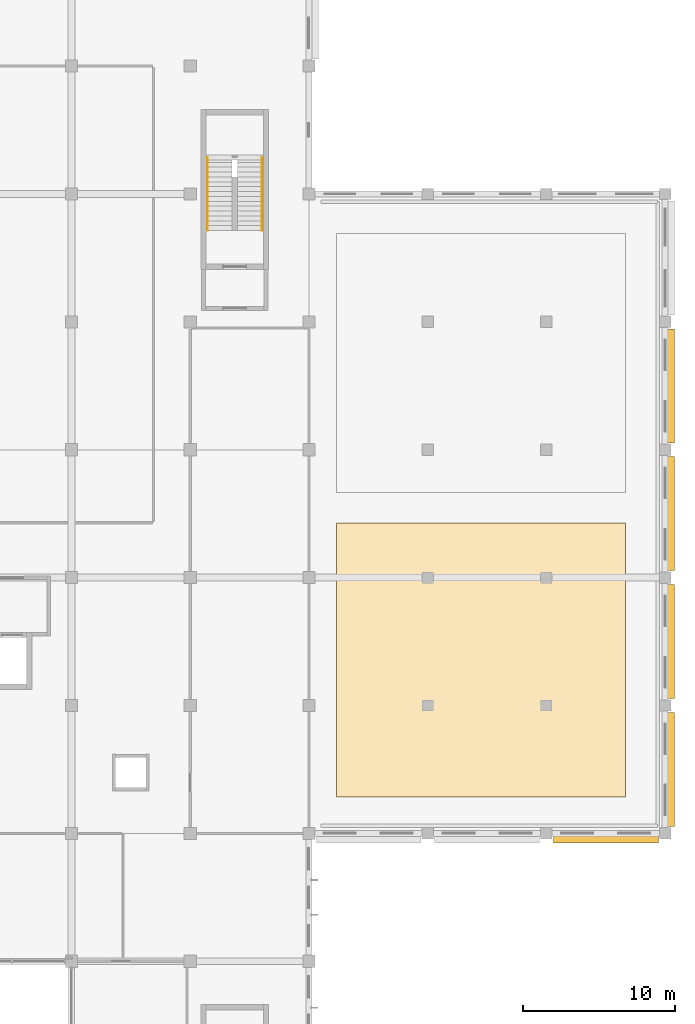
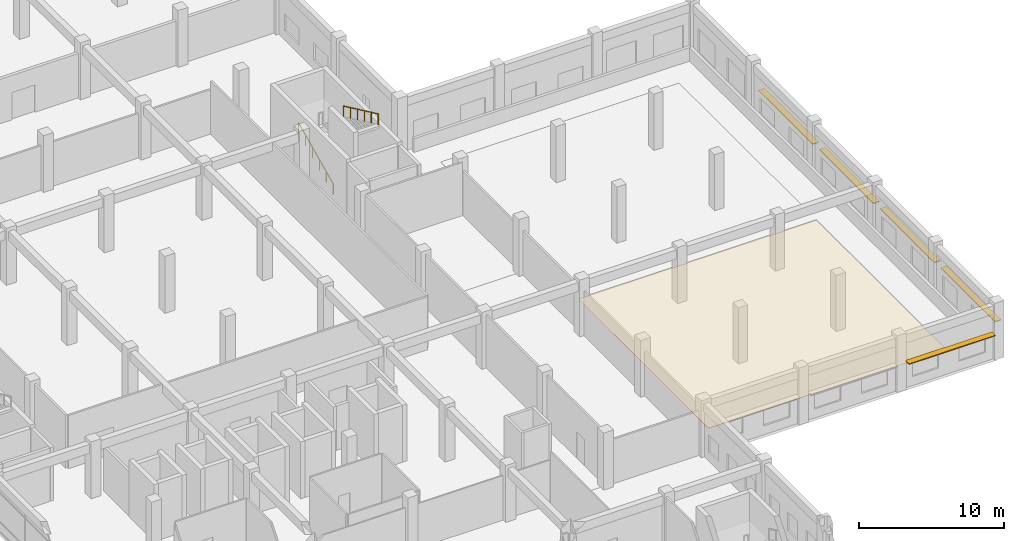
# One storey, part 61 of 62: 5 shading devices, 2 railings, 1 covering.
"""IFC4 building model written with IfcOpenShell, lengths in metres."""

from ifc_helpers import new_model, si_unit, direction, frame, origin, origin_2d, place, context, subcontext, project, spatial, polyline, rectangle, circle, outline, extrude, material, layer, layer_set, type_object, element, save


model = new_model("IFC4")

# Units and contexts
model_context = context("Model", 3, precision=1e-05, world=origin(), true_north=direction((0.0, 1.0)))
body_context = subcontext(model_context, "Body", "Model", "MODEL_VIEW")
ifc_project = project(units=[si_unit("LENGTHUNIT", "METRE"), si_unit("AREAUNIT", "SQUARE_METRE"), si_unit("VOLUMEUNIT", "CUBIC_METRE"), si_unit("PLANEANGLEUNIT", "RADIAN"), si_unit("MASSUNIT", "GRAM", prefix="KILO"), si_unit("THERMODYNAMICTEMPERATUREUNIT", "KELVIN"), si_unit("POWERUNIT", "WATT")], contexts=[model_context])

# Site, building, storey
site_placement = place(None, origin())
site = spatial("IfcSite", under=ifc_project, at=site_placement, CompositionType="ELEMENT")
building_placement = place(site_placement, origin())
building = spatial("IfcBuilding", under=site, at=building_placement, Name="Srebrne Nadtorze General Hospital", CompositionType="ELEMENT")
storey_placement = place(building_placement, frame((0.0, 0.0, 9.60009765625)))
storey = spatial("IfcBuildingStorey", under=building, at=storey_placement, Name="L02", CompositionType="ELEMENT", Elevation=9.60009765625)

# Shading devices
ifc_material_1 = material(Name="Anodised Aluminium", Category="aluminium")
ifc_layer_1 = layer(ifc_material_1, 0.080078125)
ifc_layer_set_1 = layer_set([ifc_layer_1], Name="Anodised Aluminium")
shading_device_type = type_object("IfcShadingDeviceType", Name="Hisashi horizontal aluminium sunshade", PredefinedType="JALOUSIE", material=ifc_layer_set_1)
shading_device_placement = place(storey_placement, frame((167.699951171875, 33.219970703125, 2.219970703125), z_axis=(0.0, 0.0, 1.0), x_axis=(1.0, 0.0, 0.0)))
element("IfcShadingDevice", 1, at=shading_device_placement, inside=storey, type_object=shading_device_type, Name="Hisashi horizontal sunshade eave LV-148", PredefinedType="JALOUSIE", context=body_context, shape_type="SweptSolid", body=[
    extrude(rectangle(XDim=6.889892578125, YDim=0.47998046875, at=origin_2d()), origin(), (0.0, 0.0, 1.0), 0.080078125),
])
for number, where, z_axis, x_axis, name in (
    (2, (171.97998046875, 37.800048828125, 2.519775390625), (0.0, 0.0, 1.0), (1.0, 0.0, 0.0), "Hisashi horizontal sunshade eave LV-187"),
    (3, (171.97998046875, 46.199951171875, 2.419921875), (0.0, 0.0, 1.0), (1.0, 0.0, 0.0), "Hisashi horizontal sunshade eave LV-188"),
    (4, (171.97998046875, 54.60009765625, 2.31982421875), (0.0, 0.0, 1.0), (1.0, 0.0, 0.0), "Hisashi horizontal sunshade eave LV-189"),
    (5, (171.97998046875, 63.0, 2.219970703125), (0.0, 0.0, 1.0), (1.0, 0.0, 0.0), "Hisashi horizontal sunshade eave LV-190"),
):
    element("IfcShadingDevice", number, at=place(storey_placement, frame(where, z_axis=z_axis, x_axis=x_axis)), inside=storey, type_object=shading_device_type, Name=name, PredefinedType="JALOUSIE", context=body_context, shape_type="SweptSolid", body=[
        extrude(rectangle(XDim=0.47998046875, YDim=7.489990234375, at=origin_2d()), origin(), (0.0, 0.0, 1.0), 0.080078125),
    ])

# Covering
ifc_material_2 = material(Name="EPDM Waterproofing Membrane")
ifc_layer_2 = layer(ifc_material_2, 0.011962890625)
ifc_layer_set_2 = layer_set([ifc_layer_2], Name="EPDM Waterproofing Membrane")
covering_type = type_object("IfcCoveringType", Name="Inverted EPDM waterproof roof membrane", PredefinedType="ROOFING", material=ifc_layer_set_2)
covering_placement = place(storey_placement, origin())
element("IfcCovering", 6, at=covering_placement, inside=storey, type_object=covering_type, Name="Roof membrane covering CV-ROOF-EB-1", PredefinedType="ROOFING", context=body_context, shape_type="SweptSolid", body=[
    extrude(outline(polyline([(150.0, 36.0), (169.0, 36.0), (169.0, 54.0), (150.0, 54.0), (150.0, 36.0)])), origin(), (0.0, 0.0, 1.0), 0.011962890625),
])

# Railings
ifc_material_3 = material(Name="Stainless Steel 316", Category="steel")
railing_type = type_object("IfcRailingType", Name="Tubular stainless handrail 920", PredefinedType="HANDRAIL", material=ifc_material_3)
railing_1_placement = place(storey_placement, frame((141.530029296875, 73.199951171875, 0.14990234375)))
element("IfcRailing", 7, at=railing_1_placement, inside=storey, type_object=railing_type, Name="Stair flight handrail ST-04-L02 F1", PredefinedType="HANDRAIL", context=body_context, shape_type="SweptSolid", body=[
    extrude(circle(Radius=0.02392578125, at=origin_2d()), frame((0.0, 0.0, 0.89599609375), z_axis=(0.0, 0.90546059521, 0.424430336476), x_axis=(-1.0, 0.0, 0.0)), (0.0, 0.0, 1.0), 5.30126953125),
    extrude(circle(Radius=0.02099609375, at=origin_2d()), origin(), (0.0, 0.0, 1.0), 0.871826171875),
    extrude(circle(Radius=0.02099609375, at=origin_2d()), frame((0.0, 0.9599609375, 0.449951171875)), (0.0, 0.0, 1.0), 0.871826171875),
    extrude(circle(Radius=0.02099609375, at=origin_2d()), frame((0.0, 1.919921875, 0.89990234375)), (0.0, 0.0, 1.0), 0.871826171875),
    extrude(circle(Radius=0.02099609375, at=origin_2d()), frame((0.0, 2.880126953125, 1.35009765625)), (0.0, 0.0, 1.0), 0.871826171875),
    extrude(circle(Radius=0.02099609375, at=origin_2d()), frame((0.0, 3.840087890625, 1.800048828125)), (0.0, 0.0, 1.0), 0.871826171875),
    extrude(circle(Radius=0.02099609375, at=origin_2d()), frame((0.0, 4.800048828125, 2.25)), (0.0, 0.0, 1.0), 0.871826171875),
])
railing_2_placement = place(storey_placement, frame((145.1201171875, 78.0, 2.5498046875)))
element("IfcRailing", 8, at=railing_2_placement, inside=storey, type_object=railing_type, Name="Stair flight handrail ST-04-L02 F2", PredefinedType="HANDRAIL", context=body_context, shape_type="SweptSolid", body=[
    extrude(circle(Radius=0.02392578125, at=origin_2d()), frame((0.0, 0.0, 0.89599609375), z_axis=(0.0, -0.90546059521, 0.424430336476), x_axis=(1.0, 0.0, 0.0)), (0.0, 0.0, 1.0), 5.30126953125),
    extrude(circle(Radius=0.02099609375, at=origin_2d()), origin(), (0.0, 0.0, 1.0), 0.871826171875),
    extrude(circle(Radius=0.02099609375, at=origin_2d()), frame((0.0, -0.9599609375, 0.449951171875)), (0.0, 0.0, 1.0), 0.871826171875),
    extrude(circle(Radius=0.02099609375, at=origin_2d()), frame((0.0, -1.919921875, 0.89990234375)), (0.0, 0.0, 1.0), 0.871826171875),
    extrude(circle(Radius=0.02099609375, at=origin_2d()), frame((0.0, -2.880126953125, 1.35009765625)), (0.0, 0.0, 1.0), 0.871826171875),
    extrude(circle(Radius=0.02099609375, at=origin_2d()), frame((0.0, -3.840087890625, 1.800048828125)), (0.0, 0.0, 1.0), 0.871826171875),
    extrude(circle(Radius=0.02099609375, at=origin_2d()), frame((0.0, -4.800048828125, 2.25)), (0.0, 0.0, 1.0), 0.871826171875),
])

save(model, "model.ifc")
